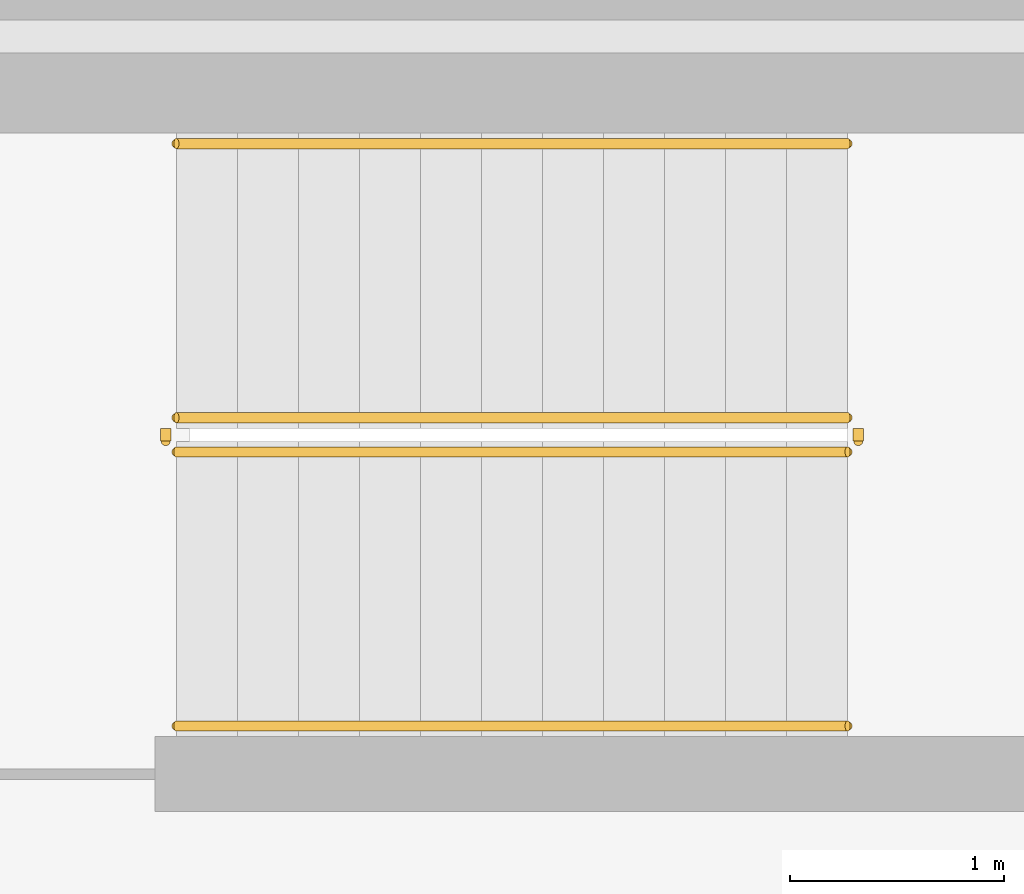
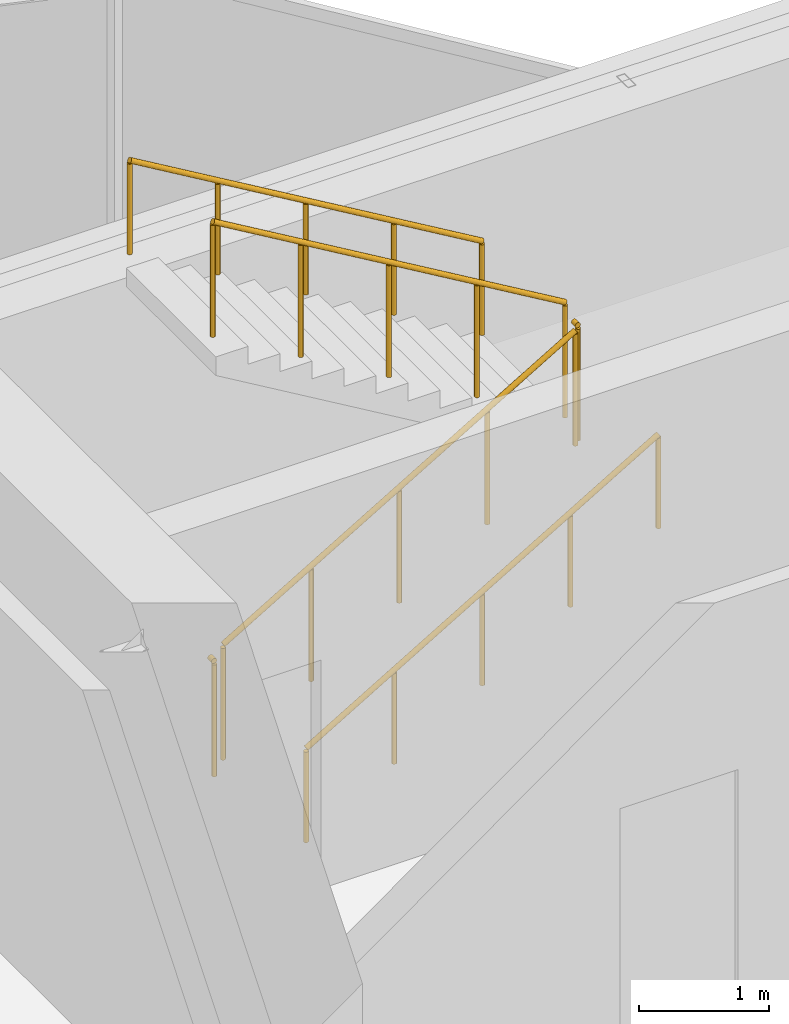
# One storey, part 18 of 18: 6 railings.
"""IFC4 building model written with IfcOpenShell, lengths in metres."""

from ifc_helpers import new_model, si_unit, direction, frame, origin, origin_2d, place, context, subcontext, project, spatial, circle, extrude, material, type_object, element, save


model = new_model("IFC4")

# Units and contexts
model_context = context("Model", 3, precision=1e-05, world=origin(), true_north=direction((0.0, 1.0)))
body_context = subcontext(model_context, "Body", "Model", "MODEL_VIEW")
ifc_project = project(units=[si_unit("LENGTHUNIT", "METRE"), si_unit("AREAUNIT", "SQUARE_METRE"), si_unit("VOLUMEUNIT", "CUBIC_METRE"), si_unit("PLANEANGLEUNIT", "RADIAN"), si_unit("MASSUNIT", "GRAM", prefix="KILO")], contexts=[model_context])

# Site, building, storey
site_placement = place(None, origin())
site = spatial("IfcSite", under=ifc_project, at=site_placement, CompositionType="ELEMENT")
building_placement = place(site_placement, origin())
building = spatial("IfcBuilding", under=site, at=building_placement, Name="Veymaron Broadcast Tower", CompositionType="ELEMENT")
storey_placement = place(building_placement, frame((0.0, 0.0, 236.39990234375)))
storey = spatial("IfcBuildingStorey", under=building, at=storey_placement, Name="L55", CompositionType="ELEMENT", Elevation=236.39990234375)

# Railings
ifc_material_1 = material(Name="Brushed stainless steel AISI 304", Category="steel")
railing_type_1 = type_object("IfcRailingType", Name="RAIL-STAIR-HR", PredefinedType="HANDRAIL", material=ifc_material_1)
railing_1_placement = place(storey_placement, frame((41.429931640625, 28.780029296875, 0.1689453125)))
element("IfcRailing", 1, at=railing_1_placement, inside=storey, type_object=railing_type_1, Name="L55 ST1 stair handrail 1", PredefinedType="HANDRAIL", context=body_context, shape_type="SweptSolid", body=[
    extrude(circle(Radius=0.02392578125, at=origin_2d()), frame((0.0, 0.0, 0.8759765625), z_axis=(0.860481960309, 0.0, 0.509480908359), x_axis=(0.0, 1.0, 0.0)), (0.0, 0.0, 1.0), 3.643310546875),
    extrude(circle(Radius=0.02099609375, at=origin_2d()), origin(), (0.0, 0.0, 1.0), 0.851806640625),
    extrude(circle(Radius=0.02099609375, at=origin_2d()), frame((0.78369140625, 0.0, 0.464111328125)), (0.0, 0.0, 1.0), 0.851806640625),
    extrude(circle(Radius=0.02099609375, at=origin_2d()), frame((1.5673828125, 0.0, 0.92822265625)), (0.0, 0.0, 1.0), 0.851806640625),
    extrude(circle(Radius=0.02099609375, at=origin_2d()), frame((2.351318359375, 0.0, 1.39208984375)), (0.0, 0.0, 1.0), 0.851806640625),
    extrude(circle(Radius=0.02099609375, at=origin_2d()), frame((3.135009765625, 0.0, 1.856201171875)), (0.0, 0.0, 1.0), 0.851806640625),
])
railing_2_placement = place(storey_placement, frame((44.56494140625, 31.5, 2.19384765625)))
element("IfcRailing", 2, at=railing_2_placement, inside=storey, type_object=railing_type_1, Name="L55 ST1 stair handrail 2", PredefinedType="HANDRAIL", context=body_context, shape_type="SweptSolid", body=[
    extrude(circle(Radius=0.02392578125, at=origin_2d()), frame((0.0, 0.0, 0.8759765625), z_axis=(-0.860481960309, 0.0, 0.509480908359), x_axis=(0.0, -1.0, 0.0)), (0.0, 0.0, 1.0), 3.643310546875),
    extrude(circle(Radius=0.02099609375, at=origin_2d()), origin(), (0.0, 0.0, 1.0), 0.851806640625),
    extrude(circle(Radius=0.02099609375, at=origin_2d()), frame((-0.78369140625, 0.0, 0.464111328125)), (0.0, 0.0, 1.0), 0.851806640625),
    extrude(circle(Radius=0.02099609375, at=origin_2d()), frame((-1.5673828125, 0.0, 0.92822265625)), (0.0, 0.0, 1.0), 0.851806640625),
    extrude(circle(Radius=0.02099609375, at=origin_2d()), frame((-2.351318359375, 0.0, 1.39208984375)), (0.0, 0.0, 1.0), 0.851806640625),
    extrude(circle(Radius=0.02099609375, at=origin_2d()), frame((-3.135009765625, 0.0, 1.856201171875)), (0.0, 0.0, 1.0), 0.851806640625),
])
ifc_material_2 = material(Name="Painted galvanized steel balustrade", Category="steel")
railing_type_2 = type_object("IfcRailingType", Name="RAIL-WELL-GRD", PredefinedType="GUARDRAIL", material=ifc_material_2)
railing_3_placement = place(storey_placement, frame((41.429931640625, 30.06005859375, 0.1689453125)))
element("IfcRailing", 3, at=railing_3_placement, inside=storey, type_object=railing_type_2, Name="L55 ST1 stair guard 1", PredefinedType="GUARDRAIL", context=body_context, shape_type="SweptSolid", body=[
    extrude(circle(Radius=0.02392578125, at=origin_2d()), frame((0.0, 0.0, 1.076171875), z_axis=(0.860481960309, 0.0, 0.509480908359), x_axis=(0.0, 1.0, 0.0)), (0.0, 0.0, 1.0), 3.643310546875),
    extrude(circle(Radius=0.02099609375, at=origin_2d()), origin(), (0.0, 0.0, 1.0), 1.052001953125),
    extrude(circle(Radius=0.02099609375, at=origin_2d()), frame((0.78369140625, 0.0, 0.464111328125)), (0.0, 0.0, 1.0), 1.052001953125),
    extrude(circle(Radius=0.02099609375, at=origin_2d()), frame((1.5673828125, 0.0, 0.92822265625)), (0.0, 0.0, 1.0), 1.052001953125),
    extrude(circle(Radius=0.02099609375, at=origin_2d()), frame((2.351318359375, 0.0, 1.39208984375)), (0.0, 0.0, 1.0), 1.052001953125),
    extrude(circle(Radius=0.02099609375, at=origin_2d()), frame((3.135009765625, 0.0, 1.856201171875)), (0.0, 0.0, 1.0), 1.052001953125),
])
railing_4_placement = place(storey_placement, frame((44.614990234375, 30.110107421875, 2.025146484375)))
element("IfcRailing", 4, at=railing_4_placement, inside=storey, type_object=railing_type_2, Name="L55 ST1 stair guard 2", PredefinedType="GUARDRAIL", context=body_context, shape_type="SweptSolid", body=[
    extrude(circle(Radius=0.02392578125, at=origin_2d()), frame((0.0, 0.0, 1.076171875), z_axis=(0.0, 1.0, 0.0), x_axis=(-1.0, 0.0, 0.0)), (0.0, 0.0, 1.0), 0.059814453125),
    extrude(circle(Radius=0.02099609375, at=origin_2d()), origin(), (0.0, 0.0, 1.0), 1.052001953125),
])
railing_5_placement = place(storey_placement, frame((44.56494140625, 30.219970703125, 2.19384765625)))
element("IfcRailing", 5, at=railing_5_placement, inside=storey, type_object=railing_type_2, Name="L55 ST1 stair guard 3", PredefinedType="GUARDRAIL", context=body_context, shape_type="SweptSolid", body=[
    extrude(circle(Radius=0.02392578125, at=origin_2d()), frame((0.0, 0.0, 1.076171875), z_axis=(-0.860481960309, 0.0, 0.509480908359), x_axis=(0.0, -1.0, 0.0)), (0.0, 0.0, 1.0), 3.643310546875),
    extrude(circle(Radius=0.02099609375, at=origin_2d()), origin(), (0.0, 0.0, 1.0), 1.052001953125),
    extrude(circle(Radius=0.02099609375, at=origin_2d()), frame((-0.78369140625, 0.0, 0.464111328125)), (0.0, 0.0, 1.0), 1.052001953125),
    extrude(circle(Radius=0.02099609375, at=origin_2d()), frame((-1.5673828125, 0.0, 0.92822265625)), (0.0, 0.0, 1.0), 1.052001953125),
    extrude(circle(Radius=0.02099609375, at=origin_2d()), frame((-2.351318359375, 0.0, 1.39208984375)), (0.0, 0.0, 1.0), 1.052001953125),
    extrude(circle(Radius=0.02099609375, at=origin_2d()), frame((-3.135009765625, 0.0, 1.856201171875)), (0.0, 0.0, 1.0), 1.052001953125),
])
railing_6_placement = place(storey_placement, frame((41.3798828125, 30.110107421875, 0.0)))
element("IfcRailing", 6, at=railing_6_placement, inside=storey, type_object=railing_type_2, Name="L55 ST1 stair guard 4", PredefinedType="GUARDRAIL", context=body_context, shape_type="SweptSolid", body=[
    extrude(circle(Radius=0.02392578125, at=origin_2d()), frame((0.0, 0.0, 1.076171875), z_axis=(0.0, 1.0, 0.0), x_axis=(-1.0, 0.0, 0.0)), (0.0, 0.0, 1.0), 0.059814453125),
    extrude(circle(Radius=0.02099609375, at=origin_2d()), origin(), (0.0, 0.0, 1.0), 1.052001953125),
])

save(model, "model.ifc")
